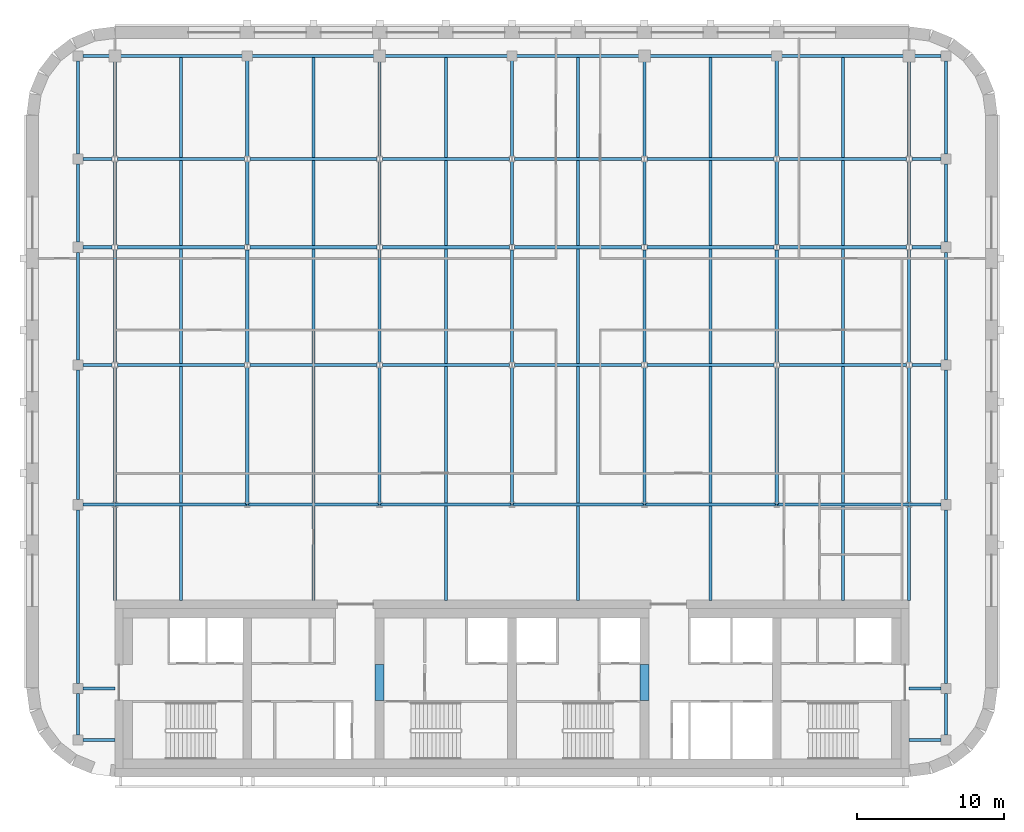
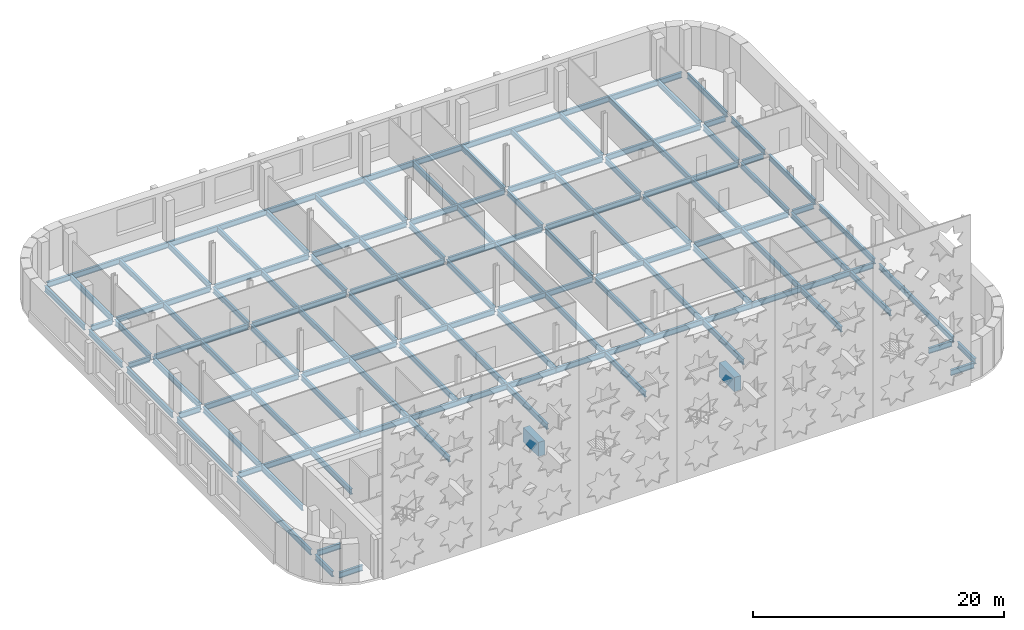
# One storey, part 5 of 14: 84 beams.
"""IFC4 building model written with IfcOpenShell, lengths in metres."""

from ifc_helpers import new_model, si_unit, direction, frame, origin, origin_2d, place, context, subcontext, project, spatial, rectangle, i_section, extrude, material, material_profile, profile_set, type_object, element, save


model = new_model("IFC4")

# Units and contexts
model_context = context("Model", 3, precision=1e-05, world=origin(), true_north=direction((0.0, 1.0)))
body_context = subcontext(model_context, "Body", "Model", "MODEL_VIEW")
ifc_project = project(units=[si_unit("LENGTHUNIT", "METRE"), si_unit("AREAUNIT", "SQUARE_METRE"), si_unit("VOLUMEUNIT", "CUBIC_METRE"), si_unit("PLANEANGLEUNIT", "RADIAN"), si_unit("MASSUNIT", "GRAM", prefix="KILO")], contexts=[model_context])

# Site, building, storey
site_placement = place(None, origin())
site = spatial("IfcSite", under=ifc_project, at=site_placement, CompositionType="ELEMENT")
building_placement = place(site_placement, origin())
building = spatial("IfcBuilding", under=site, at=building_placement, Name="Zellij Exchange Tower", CompositionType="ELEMENT")
storey_placement = place(building_placement, frame((0.0, 0.0, 288.5)))
storey = spatial("IfcBuildingStorey", under=building, at=storey_placement, Name="L68", CompositionType="ELEMENT", Elevation=288.5)

# Beams
ifc_material_1 = material(Name="Concrete C50/60", Category="concrete")
ifc_material_profile_1 = material_profile(ifc_material_1, rectangle(XDim=0.60009765625, YDim=1.3798828125, at=origin_2d()), Name="CORE-CB 600x1380 C50/60")
ifc_profile_set_1 = profile_set([ifc_material_profile_1], Name="Concrete C50/60")
beam_type_1 = type_object("IfcBeamType", Name="CORE-CB 600x1380 C50/60", PredefinedType="BEAM", material=ifc_profile_set_1)
for number, where, z_axis, x_axis, name in (
    (1, (-9.0, -8.800048828125, 3.090087890625), (0.0, 1.0, 0.0), (-1.0, 0.0, 0.0), "Core coupling beam x -9 L68"),
    (2, (9.0, -8.800048828125, 3.090087890625), (0.0, 1.0, 0.0), (-1.0, 0.0, 0.0), "Core coupling beam x 9 L68"),
):
    element("IfcBeam", number, at=place(storey_placement, frame(where, z_axis=z_axis, x_axis=x_axis)), inside=storey, type_object=beam_type_1, Name=name, PredefinedType="BEAM", context=body_context, shape_type="SweptSolid", body=[
        extrude(rectangle(XDim=0.60009765625, YDim=1.3798828125, at=origin_2d()), origin(), (0.0, 0.0, 1.0), 2.425048828125),
    ])
ifc_material_2 = material(Name="Structural steel ASTM A992 Gr 50", Category="steel")
ifc_material_profile_2 = material_profile(ifc_material_2, i_section(OverallWidth=0.209228515625, OverallDepth=0.533447265625, WebThickness=0.01025390625, FlangeThickness=0.015625, at=origin_2d()), Name="W21x62")
ifc_profile_set_2 = profile_set([ifc_material_profile_2], Name="Structural steel ASTM A992 Gr 50")
beam_type_2 = type_object("IfcBeamType", Name="STR-BEAM W21x62", PredefinedType="BEAM", material=ifc_profile_set_2)
for number, where, z_axis, x_axis, name in (
    (3, (-22.5, -2.0, -0.48681640625), (0.0, 1.0, 0.0), (-1.0, 0.0, 0.0), "B3"),
    (4, (-13.5, -2.0, -0.48681640625), (0.0, 1.0, 0.0), (-1.0, 0.0, 0.0), "B3"),
    (5, (-4.5, -2.0, -0.48681640625), (0.0, 1.0, 0.0), (-1.0, 0.0, 0.0), "B3"),
    (6, (4.5, -2.0, -0.48681640625), (0.0, 1.0, 0.0), (-1.0, 0.0, 0.0), "B3"),
    (7, (13.5, -2.0, -0.48681640625), (0.0, 1.0, 0.0), (-1.0, 0.0, 0.0), "B3"),
    (8, (22.5, -2.0, -0.48681640625), (0.0, 1.0, 0.0), (-1.0, 0.0, 0.0), "B3"),
):
    element("IfcBeam", number, at=place(storey_placement, frame(where, z_axis=z_axis, x_axis=x_axis)), inside=storey, type_object=beam_type_2, Name=name, PredefinedType="BEAM", context=body_context, shape_type="SweptSolid", body=[
        extrude(i_section(OverallWidth=0.209228515625, OverallDepth=0.533447265625, WebThickness=0.01025390625, FlangeThickness=0.015625, at=origin_2d()), origin(), (0.0, 0.0, 1.0), 37.1044921875),
    ])
ifc_material_profile_3 = material_profile(ifc_material_2, i_section(OverallWidth=0.209228515625, OverallDepth=0.533447265625, WebThickness=0.01025390625, FlangeThickness=0.015625, at=origin_2d()), Name="W21x62")
ifc_profile_set_3 = profile_set([ifc_material_profile_3], Name="Structural steel ASTM A992 Gr 50")
beam_type_3 = type_object("IfcBeamType", Name="STR-GIRDER W21x62", PredefinedType="BEAM", material=ifc_profile_set_3)
for number, where, z_axis, x_axis, name in (
    (9, (-29.14990234375, -11.5, -0.48681640625), (1.0, 0.0, 0.0), (0.0, 1.0, 0.0), "G1"),
    (10, (27.0, -11.5, -0.48681640625), (1.0, 0.0, 0.0), (0.0, 1.0, 0.0), "G1"),
    (11, (-29.14990234375, -8.0, -0.48681640625), (1.0, 0.0, 0.0), (0.0, 1.0, 0.0), "G1"),
    (12, (27.0, -8.0, -0.48681640625), (1.0, 0.0, 0.0), (0.0, 1.0, 0.0), "G1"),
):
    element("IfcBeam", number, at=place(storey_placement, frame(where, z_axis=z_axis, x_axis=x_axis)), inside=storey, type_object=beam_type_3, Name=name, PredefinedType="BEAM", context=body_context, shape_type="SweptSolid", body=[
        extrude(i_section(OverallWidth=0.209228515625, OverallDepth=0.533447265625, WebThickness=0.01025390625, FlangeThickness=0.015625, at=origin_2d()), origin(), (0.0, 0.0, 1.0), 2.14990234375),
    ])
beam_1_placement = place(storey_placement, frame((-29.14990234375, 4.5, -0.48681640625), z_axis=(1.0, 0.0, 0.0), x_axis=(0.0, 1.0, 0.0)))
element("IfcBeam", 13, at=beam_1_placement, inside=storey, type_object=beam_type_3, Name="G1", PredefinedType="BEAM", context=body_context, shape_type="SweptSolid", body=[
    extrude(i_section(OverallWidth=0.209228515625, OverallDepth=0.533447265625, WebThickness=0.01025390625, FlangeThickness=0.015625, at=origin_2d()), origin(), (0.0, 0.0, 1.0), 11.14990234375),
])
for number, where, z_axis, x_axis, name in (
    (14, (-18.0, 4.5, -0.48681640625), (1.0, 0.0, 0.0), (0.0, 1.0, 0.0), "G1"),
    (15, (0.0, 4.5, -0.48681640625), (1.0, 0.0, 0.0), (0.0, 1.0, 0.0), "G1"),
):
    element("IfcBeam", number, at=place(storey_placement, frame(where, z_axis=z_axis, x_axis=x_axis)), inside=storey, type_object=beam_type_3, Name=name, PredefinedType="BEAM", context=body_context, shape_type="SweptSolid", body=[
        extrude(i_section(OverallWidth=0.209228515625, OverallDepth=0.533447265625, WebThickness=0.01025390625, FlangeThickness=0.015625, at=origin_2d()), origin(), (0.0, 0.0, 1.0), 18.0),
    ])
beam_2_placement = place(storey_placement, frame((18.0, 4.5, -0.48681640625), z_axis=(1.0, 0.0, 0.0), x_axis=(0.0, 1.0, 0.0)))
element("IfcBeam", 16, at=beam_2_placement, inside=storey, type_object=beam_type_3, Name="G1", PredefinedType="BEAM", context=body_context, shape_type="SweptSolid", body=[
    extrude(i_section(OverallWidth=0.209228515625, OverallDepth=0.533447265625, WebThickness=0.01025390625, FlangeThickness=0.015625, at=origin_2d()), origin(), (0.0, 0.0, 1.0), 11.14990234375),
])
beam_3_placement = place(storey_placement, frame((-29.14990234375, 14.0, -0.48681640625), z_axis=(1.0, 0.0, 0.0), x_axis=(0.0, 1.0, 0.0)))
element("IfcBeam", 17, at=beam_3_placement, inside=storey, type_object=beam_type_3, Name="G1", PredefinedType="BEAM", context=body_context, shape_type="SweptSolid", body=[
    extrude(i_section(OverallWidth=0.209228515625, OverallDepth=0.533447265625, WebThickness=0.01025390625, FlangeThickness=0.015625, at=origin_2d()), origin(), (0.0, 0.0, 1.0), 1.9658203125),
])
for number, where, z_axis, x_axis, name in (
    (18, (-26.81591796875, 14.0, -0.48681640625), (1.0, 0.0, 0.0), (0.0, 1.0, 0.0), "G1"),
    (19, (-17.81591796875, 14.0, -0.48681640625), (1.0, 0.0, 0.0), (0.0, 1.0, 0.0), "G1"),
    (20, (-8.81591796875, 14.0, -0.48681640625), (1.0, 0.0, 0.0), (0.0, 1.0, 0.0), "G1"),
    (21, (0.18408203125, 14.0, -0.48681640625), (1.0, 0.0, 0.0), (0.0, 1.0, 0.0), "G1"),
    (22, (9.18408203125, 14.0, -0.48681640625), (1.0, 0.0, 0.0), (0.0, 1.0, 0.0), "G1"),
    (23, (18.18408203125, 14.0, -0.48681640625), (1.0, 0.0, 0.0), (0.0, 1.0, 0.0), "G1"),
):
    element("IfcBeam", number, at=place(storey_placement, frame(where, z_axis=z_axis, x_axis=x_axis)), inside=storey, type_object=beam_type_3, Name=name, PredefinedType="BEAM", context=body_context, shape_type="SweptSolid", body=[
        extrude(i_section(OverallWidth=0.209228515625, OverallDepth=0.533447265625, WebThickness=0.01025390625, FlangeThickness=0.015625, at=origin_2d()), origin(), (0.0, 0.0, 1.0), 8.6318359375),
    ])
for number, where, z_axis, x_axis, name in (
    (24, (27.18408203125, 14.0, -0.48681640625), (1.0, 0.0, 0.0), (0.0, 1.0, 0.0), "G1"),
    (25, (-29.14990234375, 22.0, -0.48681640625), (1.0, 0.0, 0.0), (0.0, 1.0, 0.0), "G1"),
):
    element("IfcBeam", number, at=place(storey_placement, frame(where, z_axis=z_axis, x_axis=x_axis)), inside=storey, type_object=beam_type_3, Name=name, PredefinedType="BEAM", context=body_context, shape_type="SweptSolid", body=[
        extrude(i_section(OverallWidth=0.209228515625, OverallDepth=0.533447265625, WebThickness=0.01025390625, FlangeThickness=0.015625, at=origin_2d()), origin(), (0.0, 0.0, 1.0), 1.9658203125),
    ])
for number, where, z_axis, x_axis, name in (
    (26, (-26.81591796875, 22.0, -0.48681640625), (1.0, 0.0, 0.0), (0.0, 1.0, 0.0), "G1"),
    (27, (-17.81591796875, 22.0, -0.48681640625), (1.0, 0.0, 0.0), (0.0, 1.0, 0.0), "G1"),
    (28, (-8.81591796875, 22.0, -0.48681640625), (1.0, 0.0, 0.0), (0.0, 1.0, 0.0), "G1"),
    (29, (0.18408203125, 22.0, -0.48681640625), (1.0, 0.0, 0.0), (0.0, 1.0, 0.0), "G1"),
    (30, (9.18408203125, 22.0, -0.48681640625), (1.0, 0.0, 0.0), (0.0, 1.0, 0.0), "G1"),
    (31, (18.18408203125, 22.0, -0.48681640625), (1.0, 0.0, 0.0), (0.0, 1.0, 0.0), "G1"),
):
    element("IfcBeam", number, at=place(storey_placement, frame(where, z_axis=z_axis, x_axis=x_axis)), inside=storey, type_object=beam_type_3, Name=name, PredefinedType="BEAM", context=body_context, shape_type="SweptSolid", body=[
        extrude(i_section(OverallWidth=0.209228515625, OverallDepth=0.533447265625, WebThickness=0.01025390625, FlangeThickness=0.015625, at=origin_2d()), origin(), (0.0, 0.0, 1.0), 8.6318359375),
    ])
for number, where, z_axis, x_axis, name in (
    (32, (27.18408203125, 22.0, -0.48681640625), (1.0, 0.0, 0.0), (0.0, 1.0, 0.0), "G1"),
    (33, (-29.14990234375, 28.0, -0.48681640625), (1.0, 0.0, 0.0), (0.0, 1.0, 0.0), "G1"),
):
    element("IfcBeam", number, at=place(storey_placement, frame(where, z_axis=z_axis, x_axis=x_axis)), inside=storey, type_object=beam_type_3, Name=name, PredefinedType="BEAM", context=body_context, shape_type="SweptSolid", body=[
        extrude(i_section(OverallWidth=0.209228515625, OverallDepth=0.533447265625, WebThickness=0.01025390625, FlangeThickness=0.015625, at=origin_2d()), origin(), (0.0, 0.0, 1.0), 1.9658203125),
    ])
for number, where, z_axis, x_axis, name in (
    (34, (-26.81591796875, 28.0, -0.48681640625), (1.0, 0.0, 0.0), (0.0, 1.0, 0.0), "G1"),
    (35, (-17.81591796875, 28.0, -0.48681640625), (1.0, 0.0, 0.0), (0.0, 1.0, 0.0), "G1"),
    (36, (-8.81591796875, 28.0, -0.48681640625), (1.0, 0.0, 0.0), (0.0, 1.0, 0.0), "G1"),
    (37, (0.18408203125, 28.0, -0.48681640625), (1.0, 0.0, 0.0), (0.0, 1.0, 0.0), "G1"),
    (38, (9.18408203125, 28.0, -0.48681640625), (1.0, 0.0, 0.0), (0.0, 1.0, 0.0), "G1"),
    (39, (18.18408203125, 28.0, -0.48681640625), (1.0, 0.0, 0.0), (0.0, 1.0, 0.0), "G1"),
):
    element("IfcBeam", number, at=place(storey_placement, frame(where, z_axis=z_axis, x_axis=x_axis)), inside=storey, type_object=beam_type_3, Name=name, PredefinedType="BEAM", context=body_context, shape_type="SweptSolid", body=[
        extrude(i_section(OverallWidth=0.209228515625, OverallDepth=0.533447265625, WebThickness=0.01025390625, FlangeThickness=0.015625, at=origin_2d()), origin(), (0.0, 0.0, 1.0), 8.6318359375),
    ])
beam_4_placement = place(storey_placement, frame((27.18408203125, 28.0, -0.48681640625), z_axis=(1.0, 0.0, 0.0), x_axis=(0.0, 1.0, 0.0)))
element("IfcBeam", 40, at=beam_4_placement, inside=storey, type_object=beam_type_3, Name="G1", PredefinedType="BEAM", context=body_context, shape_type="SweptSolid", body=[
    extrude(i_section(OverallWidth=0.209228515625, OverallDepth=0.533447265625, WebThickness=0.01025390625, FlangeThickness=0.015625, at=origin_2d()), origin(), (0.0, 0.0, 1.0), 1.9658203125),
])
beam_5_placement = place(storey_placement, frame((-29.14990234375, 35.0, -0.48681640625), z_axis=(1.0, 0.0, 0.0), x_axis=(0.0, 1.0, 0.0)))
element("IfcBeam", 41, at=beam_5_placement, inside=storey, type_object=beam_type_3, Name="G1", PredefinedType="BEAM", context=body_context, shape_type="SweptSolid", body=[
    extrude(i_section(OverallWidth=0.209228515625, OverallDepth=0.533447265625, WebThickness=0.01025390625, FlangeThickness=0.015625, at=origin_2d()), origin(), (0.0, 0.0, 1.0), 11.14990234375),
])
for number, where, z_axis, x_axis, name in (
    (42, (-18.0, 35.0, -0.48681640625), (1.0, 0.0, 0.0), (0.0, 1.0, 0.0), "G1"),
    (43, (0.0, 35.0, -0.48681640625), (1.0, 0.0, 0.0), (0.0, 1.0, 0.0), "G1"),
):
    element("IfcBeam", number, at=place(storey_placement, frame(where, z_axis=z_axis, x_axis=x_axis)), inside=storey, type_object=beam_type_3, Name=name, PredefinedType="BEAM", context=body_context, shape_type="SweptSolid", body=[
        extrude(i_section(OverallWidth=0.209228515625, OverallDepth=0.533447265625, WebThickness=0.01025390625, FlangeThickness=0.015625, at=origin_2d()), origin(), (0.0, 0.0, 1.0), 18.0),
    ])
beam_6_placement = place(storey_placement, frame((18.0, 35.0, -0.48681640625), z_axis=(1.0, 0.0, 0.0), x_axis=(0.0, 1.0, 0.0)))
element("IfcBeam", 44, at=beam_6_placement, inside=storey, type_object=beam_type_3, Name="G1", PredefinedType="BEAM", context=body_context, shape_type="SweptSolid", body=[
    extrude(i_section(OverallWidth=0.209228515625, OverallDepth=0.533447265625, WebThickness=0.01025390625, FlangeThickness=0.015625, at=origin_2d()), origin(), (0.0, 0.0, 1.0), 11.14990234375),
])
beam_7_placement = place(storey_placement, frame((-29.5, -11.14990234375, -0.48681640625), z_axis=(0.0, 1.0, 0.0), x_axis=(-1.0, 0.0, 0.0)))
element("IfcBeam", 45, at=beam_7_placement, inside=storey, type_object=beam_type_3, Name="G1", PredefinedType="BEAM", context=body_context, shape_type="SweptSolid", body=[
    extrude(i_section(OverallWidth=0.209228515625, OverallDepth=0.533447265625, WebThickness=0.01025390625, FlangeThickness=0.015625, at=origin_2d()), origin(), (0.0, 0.0, 1.0), 2.7998046875),
])
beam_8_placement = place(storey_placement, frame((-29.5, -7.64990234375, -0.48681640625), z_axis=(0.0, 1.0, 0.0), x_axis=(-1.0, 0.0, 0.0)))
element("IfcBeam", 46, at=beam_8_placement, inside=storey, type_object=beam_type_3, Name="G1", PredefinedType="BEAM", context=body_context, shape_type="SweptSolid", body=[
    extrude(i_section(OverallWidth=0.209228515625, OverallDepth=0.533447265625, WebThickness=0.01025390625, FlangeThickness=0.015625, at=origin_2d()), origin(), (0.0, 0.0, 1.0), 11.7998046875),
])
beam_9_placement = place(storey_placement, frame((-29.5, 4.85009765625, -0.48681640625), z_axis=(0.0, 1.0, 0.0), x_axis=(-1.0, 0.0, 0.0)))
element("IfcBeam", 47, at=beam_9_placement, inside=storey, type_object=beam_type_3, Name="G1", PredefinedType="BEAM", context=body_context, shape_type="SweptSolid", body=[
    extrude(i_section(OverallWidth=0.209228515625, OverallDepth=0.533447265625, WebThickness=0.01025390625, FlangeThickness=0.015625, at=origin_2d()), origin(), (0.0, 0.0, 1.0), 8.7998046875),
])
beam_10_placement = place(storey_placement, frame((-29.5, 14.35009765625, -0.48681640625), z_axis=(0.0, 1.0, 0.0), x_axis=(-1.0, 0.0, 0.0)))
element("IfcBeam", 48, at=beam_10_placement, inside=storey, type_object=beam_type_3, Name="G1", PredefinedType="BEAM", context=body_context, shape_type="SweptSolid", body=[
    extrude(i_section(OverallWidth=0.209228515625, OverallDepth=0.533447265625, WebThickness=0.01025390625, FlangeThickness=0.015625, at=origin_2d()), origin(), (0.0, 0.0, 1.0), 7.2998046875),
])
beam_11_placement = place(storey_placement, frame((-29.5, 22.35009765625, -0.48681640625), z_axis=(0.0, 1.0, 0.0), x_axis=(-1.0, 0.0, 0.0)))
element("IfcBeam", 49, at=beam_11_placement, inside=storey, type_object=beam_type_3, Name="G1", PredefinedType="BEAM", context=body_context, shape_type="SweptSolid", body=[
    extrude(i_section(OverallWidth=0.209228515625, OverallDepth=0.533447265625, WebThickness=0.01025390625, FlangeThickness=0.015625, at=origin_2d()), origin(), (0.0, 0.0, 1.0), 5.2998046875),
])
beam_12_placement = place(storey_placement, frame((-29.5, 28.35009765625, -0.48681640625), z_axis=(0.0, 1.0, 0.0), x_axis=(-1.0, 0.0, 0.0)))
element("IfcBeam", 50, at=beam_12_placement, inside=storey, type_object=beam_type_3, Name="G1", PredefinedType="BEAM", context=body_context, shape_type="SweptSolid", body=[
    extrude(i_section(OverallWidth=0.209228515625, OverallDepth=0.533447265625, WebThickness=0.01025390625, FlangeThickness=0.015625, at=origin_2d()), origin(), (0.0, 0.0, 1.0), 6.2998046875),
])
beam_13_placement = place(storey_placement, frame((-27.0, -2.0, -0.48681640625), z_axis=(0.0, 1.0, 0.0), x_axis=(-1.0, 0.0, 0.0)))
element("IfcBeam", 51, at=beam_13_placement, inside=storey, type_object=beam_type_3, Name="G1", PredefinedType="BEAM", context=body_context, shape_type="SweptSolid", body=[
    extrude(i_section(OverallWidth=0.209228515625, OverallDepth=0.533447265625, WebThickness=0.01025390625, FlangeThickness=0.015625, at=origin_2d()), origin(), (0.0, 0.0, 1.0), 15.822265625),
])
beam_14_placement = place(storey_placement, frame((-27.0, 14.177734375, -0.48681640625), z_axis=(0.0, 1.0, 0.0), x_axis=(-1.0, 0.0, 0.0)))
element("IfcBeam", 52, at=beam_14_placement, inside=storey, type_object=beam_type_3, Name="G1", PredefinedType="BEAM", context=body_context, shape_type="SweptSolid", body=[
    extrude(i_section(OverallWidth=0.209228515625, OverallDepth=0.533447265625, WebThickness=0.01025390625, FlangeThickness=0.015625, at=origin_2d()), origin(), (0.0, 0.0, 1.0), 7.64453125),
])
beam_15_placement = place(storey_placement, frame((-27.0, 22.177734375, -0.48681640625), z_axis=(0.0, 1.0, 0.0), x_axis=(-1.0, 0.0, 0.0)))
element("IfcBeam", 53, at=beam_15_placement, inside=storey, type_object=beam_type_3, Name="G1", PredefinedType="BEAM", context=body_context, shape_type="SweptSolid", body=[
    extrude(i_section(OverallWidth=0.209228515625, OverallDepth=0.533447265625, WebThickness=0.01025390625, FlangeThickness=0.015625, at=origin_2d()), origin(), (0.0, 0.0, 1.0), 5.64453125),
])
beam_16_placement = place(storey_placement, frame((-27.0, 28.177734375, -0.48681640625), z_axis=(0.0, 1.0, 0.0), x_axis=(-1.0, 0.0, 0.0)))
element("IfcBeam", 54, at=beam_16_placement, inside=storey, type_object=beam_type_3, Name="G1", PredefinedType="BEAM", context=body_context, shape_type="SweptSolid", body=[
    extrude(i_section(OverallWidth=0.209228515625, OverallDepth=0.533447265625, WebThickness=0.01025390625, FlangeThickness=0.015625, at=origin_2d()), origin(), (0.0, 0.0, 1.0), 6.822265625),
])
beam_17_placement = place(storey_placement, frame((-18.0, 4.5, -0.48681640625), z_axis=(0.0, 1.0, 0.0), x_axis=(-1.0, 0.0, 0.0)))
element("IfcBeam", 55, at=beam_17_placement, inside=storey, type_object=beam_type_3, Name="G1", PredefinedType="BEAM", context=body_context, shape_type="SweptSolid", body=[
    extrude(i_section(OverallWidth=0.209228515625, OverallDepth=0.533447265625, WebThickness=0.01025390625, FlangeThickness=0.015625, at=origin_2d()), origin(), (0.0, 0.0, 1.0), 9.322265625),
])
beam_18_placement = place(storey_placement, frame((-18.0, 14.177734375, -0.48681640625), z_axis=(0.0, 1.0, 0.0), x_axis=(-1.0, 0.0, 0.0)))
element("IfcBeam", 56, at=beam_18_placement, inside=storey, type_object=beam_type_3, Name="G1", PredefinedType="BEAM", context=body_context, shape_type="SweptSolid", body=[
    extrude(i_section(OverallWidth=0.209228515625, OverallDepth=0.533447265625, WebThickness=0.01025390625, FlangeThickness=0.015625, at=origin_2d()), origin(), (0.0, 0.0, 1.0), 7.64453125),
])
beam_19_placement = place(storey_placement, frame((-18.0, 22.177734375, -0.48681640625), z_axis=(0.0, 1.0, 0.0), x_axis=(-1.0, 0.0, 0.0)))
element("IfcBeam", 57, at=beam_19_placement, inside=storey, type_object=beam_type_3, Name="G1", PredefinedType="BEAM", context=body_context, shape_type="SweptSolid", body=[
    extrude(i_section(OverallWidth=0.209228515625, OverallDepth=0.533447265625, WebThickness=0.01025390625, FlangeThickness=0.015625, at=origin_2d()), origin(), (0.0, 0.0, 1.0), 5.64453125),
])
beam_20_placement = place(storey_placement, frame((-18.0, 28.177734375, -0.48681640625), z_axis=(0.0, 1.0, 0.0), x_axis=(-1.0, 0.0, 0.0)))
element("IfcBeam", 58, at=beam_20_placement, inside=storey, type_object=beam_type_3, Name="G1", PredefinedType="BEAM", context=body_context, shape_type="SweptSolid", body=[
    extrude(i_section(OverallWidth=0.209228515625, OverallDepth=0.533447265625, WebThickness=0.01025390625, FlangeThickness=0.015625, at=origin_2d()), origin(), (0.0, 0.0, 1.0), 6.822265625),
])
beam_21_placement = place(storey_placement, frame((-9.0, 4.5, -0.48681640625), z_axis=(0.0, 1.0, 0.0), x_axis=(-1.0, 0.0, 0.0)))
element("IfcBeam", 59, at=beam_21_placement, inside=storey, type_object=beam_type_3, Name="G1", PredefinedType="BEAM", context=body_context, shape_type="SweptSolid", body=[
    extrude(i_section(OverallWidth=0.209228515625, OverallDepth=0.533447265625, WebThickness=0.01025390625, FlangeThickness=0.015625, at=origin_2d()), origin(), (0.0, 0.0, 1.0), 9.322265625),
])
beam_22_placement = place(storey_placement, frame((-9.0, 14.177734375, -0.48681640625), z_axis=(0.0, 1.0, 0.0), x_axis=(-1.0, 0.0, 0.0)))
element("IfcBeam", 60, at=beam_22_placement, inside=storey, type_object=beam_type_3, Name="G1", PredefinedType="BEAM", context=body_context, shape_type="SweptSolid", body=[
    extrude(i_section(OverallWidth=0.209228515625, OverallDepth=0.533447265625, WebThickness=0.01025390625, FlangeThickness=0.015625, at=origin_2d()), origin(), (0.0, 0.0, 1.0), 7.64453125),
])
beam_23_placement = place(storey_placement, frame((-9.0, 22.177734375, -0.48681640625), z_axis=(0.0, 1.0, 0.0), x_axis=(-1.0, 0.0, 0.0)))
element("IfcBeam", 61, at=beam_23_placement, inside=storey, type_object=beam_type_3, Name="G1", PredefinedType="BEAM", context=body_context, shape_type="SweptSolid", body=[
    extrude(i_section(OverallWidth=0.209228515625, OverallDepth=0.533447265625, WebThickness=0.01025390625, FlangeThickness=0.015625, at=origin_2d()), origin(), (0.0, 0.0, 1.0), 5.64453125),
])
beam_24_placement = place(storey_placement, frame((-9.0, 28.177734375, -0.48681640625), z_axis=(0.0, 1.0, 0.0), x_axis=(-1.0, 0.0, 0.0)))
element("IfcBeam", 62, at=beam_24_placement, inside=storey, type_object=beam_type_3, Name="G1", PredefinedType="BEAM", context=body_context, shape_type="SweptSolid", body=[
    extrude(i_section(OverallWidth=0.209228515625, OverallDepth=0.533447265625, WebThickness=0.01025390625, FlangeThickness=0.015625, at=origin_2d()), origin(), (0.0, 0.0, 1.0), 6.822265625),
])
beam_25_placement = place(storey_placement, frame((0.0, 4.5, -0.48681640625), z_axis=(0.0, 1.0, 0.0), x_axis=(-1.0, 0.0, 0.0)))
element("IfcBeam", 63, at=beam_25_placement, inside=storey, type_object=beam_type_3, Name="G1", PredefinedType="BEAM", context=body_context, shape_type="SweptSolid", body=[
    extrude(i_section(OverallWidth=0.209228515625, OverallDepth=0.533447265625, WebThickness=0.01025390625, FlangeThickness=0.015625, at=origin_2d()), origin(), (0.0, 0.0, 1.0), 9.322265625),
])
beam_26_placement = place(storey_placement, frame((0.0, 14.177734375, -0.48681640625), z_axis=(0.0, 1.0, 0.0), x_axis=(-1.0, 0.0, 0.0)))
element("IfcBeam", 64, at=beam_26_placement, inside=storey, type_object=beam_type_3, Name="G1", PredefinedType="BEAM", context=body_context, shape_type="SweptSolid", body=[
    extrude(i_section(OverallWidth=0.209228515625, OverallDepth=0.533447265625, WebThickness=0.01025390625, FlangeThickness=0.015625, at=origin_2d()), origin(), (0.0, 0.0, 1.0), 7.64453125),
])
beam_27_placement = place(storey_placement, frame((0.0, 22.177734375, -0.48681640625), z_axis=(0.0, 1.0, 0.0), x_axis=(-1.0, 0.0, 0.0)))
element("IfcBeam", 65, at=beam_27_placement, inside=storey, type_object=beam_type_3, Name="G1", PredefinedType="BEAM", context=body_context, shape_type="SweptSolid", body=[
    extrude(i_section(OverallWidth=0.209228515625, OverallDepth=0.533447265625, WebThickness=0.01025390625, FlangeThickness=0.015625, at=origin_2d()), origin(), (0.0, 0.0, 1.0), 5.64453125),
])
beam_28_placement = place(storey_placement, frame((0.0, 28.177734375, -0.48681640625), z_axis=(0.0, 1.0, 0.0), x_axis=(-1.0, 0.0, 0.0)))
element("IfcBeam", 66, at=beam_28_placement, inside=storey, type_object=beam_type_3, Name="G1", PredefinedType="BEAM", context=body_context, shape_type="SweptSolid", body=[
    extrude(i_section(OverallWidth=0.209228515625, OverallDepth=0.533447265625, WebThickness=0.01025390625, FlangeThickness=0.015625, at=origin_2d()), origin(), (0.0, 0.0, 1.0), 6.822265625),
])
beam_29_placement = place(storey_placement, frame((9.0, 4.5, -0.48681640625), z_axis=(0.0, 1.0, 0.0), x_axis=(-1.0, 0.0, 0.0)))
element("IfcBeam", 67, at=beam_29_placement, inside=storey, type_object=beam_type_3, Name="G1", PredefinedType="BEAM", context=body_context, shape_type="SweptSolid", body=[
    extrude(i_section(OverallWidth=0.209228515625, OverallDepth=0.533447265625, WebThickness=0.01025390625, FlangeThickness=0.015625, at=origin_2d()), origin(), (0.0, 0.0, 1.0), 9.322265625),
])
beam_30_placement = place(storey_placement, frame((9.0, 14.177734375, -0.48681640625), z_axis=(0.0, 1.0, 0.0), x_axis=(-1.0, 0.0, 0.0)))
element("IfcBeam", 68, at=beam_30_placement, inside=storey, type_object=beam_type_3, Name="G1", PredefinedType="BEAM", context=body_context, shape_type="SweptSolid", body=[
    extrude(i_section(OverallWidth=0.209228515625, OverallDepth=0.533447265625, WebThickness=0.01025390625, FlangeThickness=0.015625, at=origin_2d()), origin(), (0.0, 0.0, 1.0), 7.64453125),
])
beam_31_placement = place(storey_placement, frame((9.0, 22.177734375, -0.48681640625), z_axis=(0.0, 1.0, 0.0), x_axis=(-1.0, 0.0, 0.0)))
element("IfcBeam", 69, at=beam_31_placement, inside=storey, type_object=beam_type_3, Name="G1", PredefinedType="BEAM", context=body_context, shape_type="SweptSolid", body=[
    extrude(i_section(OverallWidth=0.209228515625, OverallDepth=0.533447265625, WebThickness=0.01025390625, FlangeThickness=0.015625, at=origin_2d()), origin(), (0.0, 0.0, 1.0), 5.64453125),
])
beam_32_placement = place(storey_placement, frame((9.0, 28.177734375, -0.48681640625), z_axis=(0.0, 1.0, 0.0), x_axis=(-1.0, 0.0, 0.0)))
element("IfcBeam", 70, at=beam_32_placement, inside=storey, type_object=beam_type_3, Name="G1", PredefinedType="BEAM", context=body_context, shape_type="SweptSolid", body=[
    extrude(i_section(OverallWidth=0.209228515625, OverallDepth=0.533447265625, WebThickness=0.01025390625, FlangeThickness=0.015625, at=origin_2d()), origin(), (0.0, 0.0, 1.0), 6.822265625),
])
beam_33_placement = place(storey_placement, frame((18.0, 4.5, -0.48681640625), z_axis=(0.0, 1.0, 0.0), x_axis=(-1.0, 0.0, 0.0)))
element("IfcBeam", 71, at=beam_33_placement, inside=storey, type_object=beam_type_3, Name="G1", PredefinedType="BEAM", context=body_context, shape_type="SweptSolid", body=[
    extrude(i_section(OverallWidth=0.209228515625, OverallDepth=0.533447265625, WebThickness=0.01025390625, FlangeThickness=0.015625, at=origin_2d()), origin(), (0.0, 0.0, 1.0), 9.322265625),
])
beam_34_placement = place(storey_placement, frame((18.0, 14.177734375, -0.48681640625), z_axis=(0.0, 1.0, 0.0), x_axis=(-1.0, 0.0, 0.0)))
element("IfcBeam", 72, at=beam_34_placement, inside=storey, type_object=beam_type_3, Name="G1", PredefinedType="BEAM", context=body_context, shape_type="SweptSolid", body=[
    extrude(i_section(OverallWidth=0.209228515625, OverallDepth=0.533447265625, WebThickness=0.01025390625, FlangeThickness=0.015625, at=origin_2d()), origin(), (0.0, 0.0, 1.0), 7.64453125),
])
beam_35_placement = place(storey_placement, frame((18.0, 22.177734375, -0.48681640625), z_axis=(0.0, 1.0, 0.0), x_axis=(-1.0, 0.0, 0.0)))
element("IfcBeam", 73, at=beam_35_placement, inside=storey, type_object=beam_type_3, Name="G1", PredefinedType="BEAM", context=body_context, shape_type="SweptSolid", body=[
    extrude(i_section(OverallWidth=0.209228515625, OverallDepth=0.533447265625, WebThickness=0.01025390625, FlangeThickness=0.015625, at=origin_2d()), origin(), (0.0, 0.0, 1.0), 5.64453125),
])
beam_36_placement = place(storey_placement, frame((18.0, 28.177734375, -0.48681640625), z_axis=(0.0, 1.0, 0.0), x_axis=(-1.0, 0.0, 0.0)))
element("IfcBeam", 74, at=beam_36_placement, inside=storey, type_object=beam_type_3, Name="G1", PredefinedType="BEAM", context=body_context, shape_type="SweptSolid", body=[
    extrude(i_section(OverallWidth=0.209228515625, OverallDepth=0.533447265625, WebThickness=0.01025390625, FlangeThickness=0.015625, at=origin_2d()), origin(), (0.0, 0.0, 1.0), 6.822265625),
])
beam_37_placement = place(storey_placement, frame((27.0, -2.0, -0.48681640625), z_axis=(0.0, 1.0, 0.0), x_axis=(-1.0, 0.0, 0.0)))
element("IfcBeam", 75, at=beam_37_placement, inside=storey, type_object=beam_type_3, Name="G1", PredefinedType="BEAM", context=body_context, shape_type="SweptSolid", body=[
    extrude(i_section(OverallWidth=0.209228515625, OverallDepth=0.533447265625, WebThickness=0.01025390625, FlangeThickness=0.015625, at=origin_2d()), origin(), (0.0, 0.0, 1.0), 15.822265625),
])
beam_38_placement = place(storey_placement, frame((27.0, 14.177734375, -0.48681640625), z_axis=(0.0, 1.0, 0.0), x_axis=(-1.0, 0.0, 0.0)))
element("IfcBeam", 76, at=beam_38_placement, inside=storey, type_object=beam_type_3, Name="G1", PredefinedType="BEAM", context=body_context, shape_type="SweptSolid", body=[
    extrude(i_section(OverallWidth=0.209228515625, OverallDepth=0.533447265625, WebThickness=0.01025390625, FlangeThickness=0.015625, at=origin_2d()), origin(), (0.0, 0.0, 1.0), 7.64453125),
])
beam_39_placement = place(storey_placement, frame((27.0, 22.177734375, -0.48681640625), z_axis=(0.0, 1.0, 0.0), x_axis=(-1.0, 0.0, 0.0)))
element("IfcBeam", 77, at=beam_39_placement, inside=storey, type_object=beam_type_3, Name="G1", PredefinedType="BEAM", context=body_context, shape_type="SweptSolid", body=[
    extrude(i_section(OverallWidth=0.209228515625, OverallDepth=0.533447265625, WebThickness=0.01025390625, FlangeThickness=0.015625, at=origin_2d()), origin(), (0.0, 0.0, 1.0), 5.64453125),
])
beam_40_placement = place(storey_placement, frame((27.0, 28.177734375, -0.48681640625), z_axis=(0.0, 1.0, 0.0), x_axis=(-1.0, 0.0, 0.0)))
element("IfcBeam", 78, at=beam_40_placement, inside=storey, type_object=beam_type_3, Name="G1", PredefinedType="BEAM", context=body_context, shape_type="SweptSolid", body=[
    extrude(i_section(OverallWidth=0.209228515625, OverallDepth=0.533447265625, WebThickness=0.01025390625, FlangeThickness=0.015625, at=origin_2d()), origin(), (0.0, 0.0, 1.0), 6.822265625),
])
beam_41_placement = place(storey_placement, frame((29.5, -11.14990234375, -0.48681640625), z_axis=(0.0, 1.0, 0.0), x_axis=(-1.0, 0.0, 0.0)))
element("IfcBeam", 79, at=beam_41_placement, inside=storey, type_object=beam_type_3, Name="G1", PredefinedType="BEAM", context=body_context, shape_type="SweptSolid", body=[
    extrude(i_section(OverallWidth=0.209228515625, OverallDepth=0.533447265625, WebThickness=0.01025390625, FlangeThickness=0.015625, at=origin_2d()), origin(), (0.0, 0.0, 1.0), 2.7998046875),
])
beam_42_placement = place(storey_placement, frame((29.5, -7.64990234375, -0.48681640625), z_axis=(0.0, 1.0, 0.0), x_axis=(-1.0, 0.0, 0.0)))
element("IfcBeam", 80, at=beam_42_placement, inside=storey, type_object=beam_type_3, Name="G1", PredefinedType="BEAM", context=body_context, shape_type="SweptSolid", body=[
    extrude(i_section(OverallWidth=0.209228515625, OverallDepth=0.533447265625, WebThickness=0.01025390625, FlangeThickness=0.015625, at=origin_2d()), origin(), (0.0, 0.0, 1.0), 11.7998046875),
])
beam_43_placement = place(storey_placement, frame((29.5, 4.85009765625, -0.48681640625), z_axis=(0.0, 1.0, 0.0), x_axis=(-1.0, 0.0, 0.0)))
element("IfcBeam", 81, at=beam_43_placement, inside=storey, type_object=beam_type_3, Name="G1", PredefinedType="BEAM", context=body_context, shape_type="SweptSolid", body=[
    extrude(i_section(OverallWidth=0.209228515625, OverallDepth=0.533447265625, WebThickness=0.01025390625, FlangeThickness=0.015625, at=origin_2d()), origin(), (0.0, 0.0, 1.0), 8.7998046875),
])
beam_44_placement = place(storey_placement, frame((29.5, 14.35009765625, -0.48681640625), z_axis=(0.0, 1.0, 0.0), x_axis=(-1.0, 0.0, 0.0)))
element("IfcBeam", 82, at=beam_44_placement, inside=storey, type_object=beam_type_3, Name="G1", PredefinedType="BEAM", context=body_context, shape_type="SweptSolid", body=[
    extrude(i_section(OverallWidth=0.209228515625, OverallDepth=0.533447265625, WebThickness=0.01025390625, FlangeThickness=0.015625, at=origin_2d()), origin(), (0.0, 0.0, 1.0), 7.2998046875),
])
beam_45_placement = place(storey_placement, frame((29.5, 22.35009765625, -0.48681640625), z_axis=(0.0, 1.0, 0.0), x_axis=(-1.0, 0.0, 0.0)))
element("IfcBeam", 83, at=beam_45_placement, inside=storey, type_object=beam_type_3, Name="G1", PredefinedType="BEAM", context=body_context, shape_type="SweptSolid", body=[
    extrude(i_section(OverallWidth=0.209228515625, OverallDepth=0.533447265625, WebThickness=0.01025390625, FlangeThickness=0.015625, at=origin_2d()), origin(), (0.0, 0.0, 1.0), 5.2998046875),
])
beam_46_placement = place(storey_placement, frame((29.5, 28.35009765625, -0.48681640625), z_axis=(0.0, 1.0, 0.0), x_axis=(-1.0, 0.0, 0.0)))
element("IfcBeam", 84, at=beam_46_placement, inside=storey, type_object=beam_type_3, Name="G1", PredefinedType="BEAM", context=body_context, shape_type="SweptSolid", body=[
    extrude(i_section(OverallWidth=0.209228515625, OverallDepth=0.533447265625, WebThickness=0.01025390625, FlangeThickness=0.015625, at=origin_2d()), origin(), (0.0, 0.0, 1.0), 6.2998046875),
])

save(model, "model.ifc")
